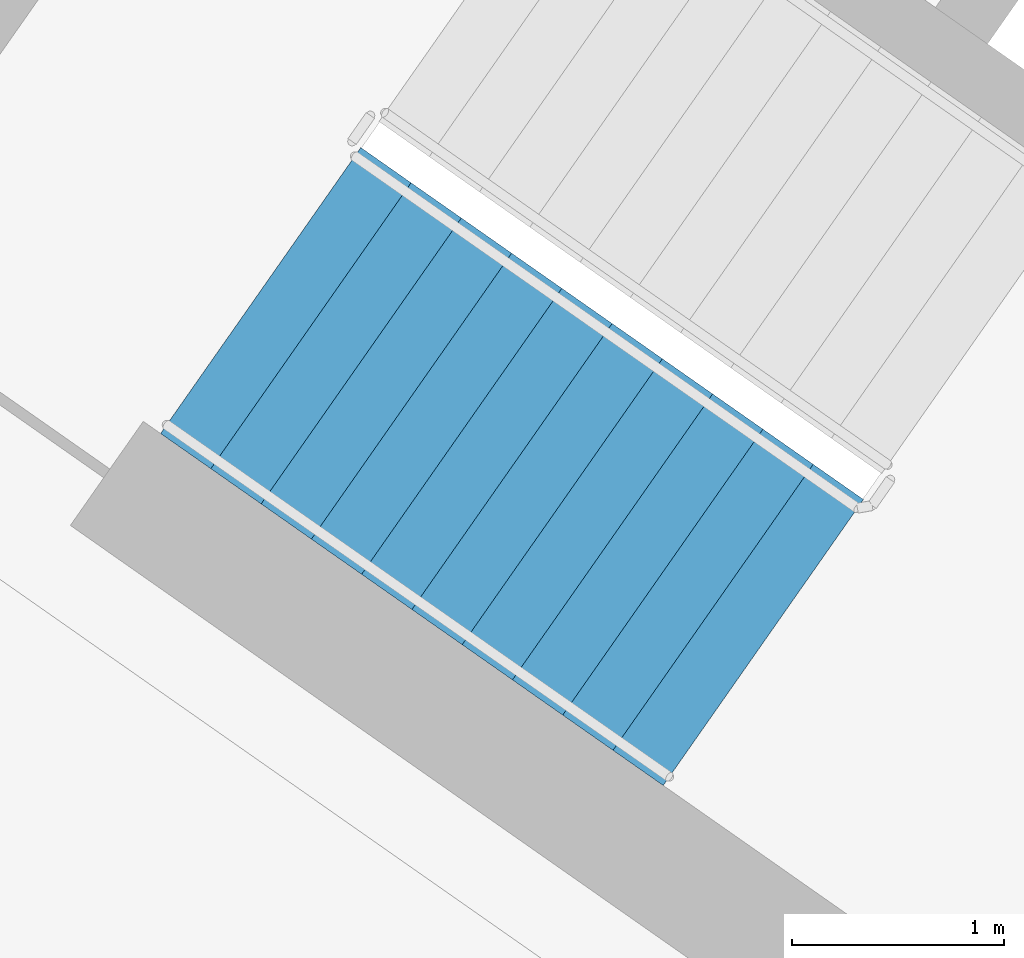
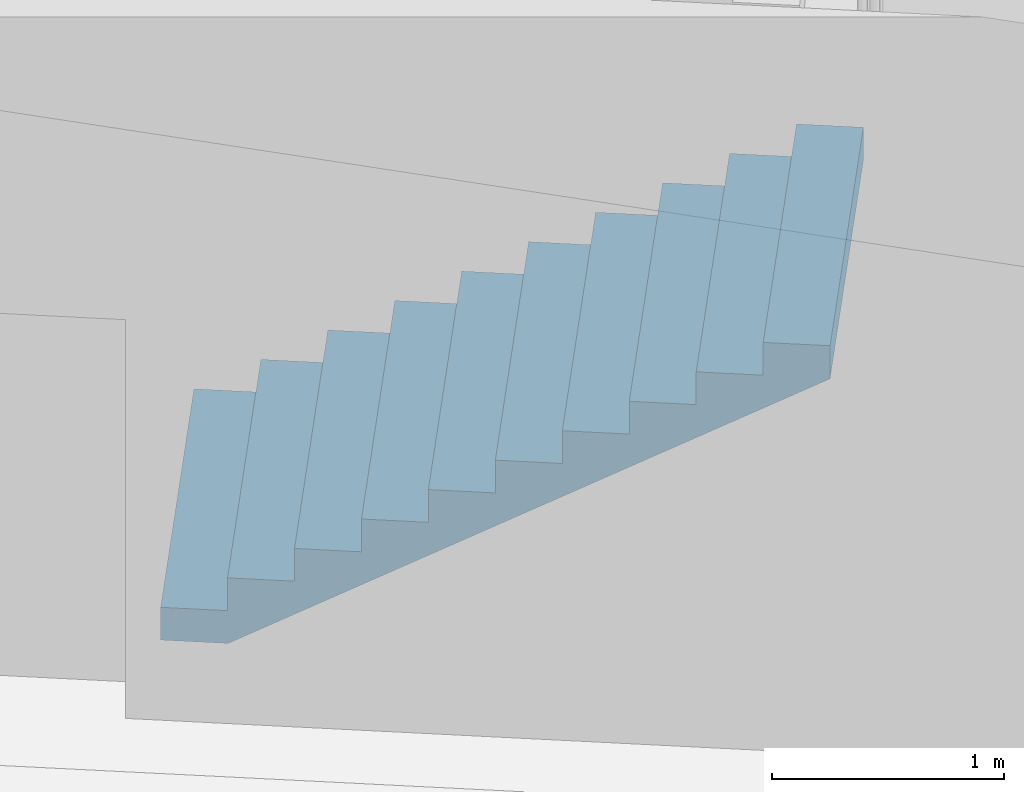
# One storey, part 8 of 27: 1 stair flight, 1 element without a shape of its own.
"""IFC4 building model written with IfcOpenShell, lengths in metres."""

from ifc_helpers import new_model, si_unit, direction, frame, origin, place, context, subcontext, project, spatial, faceted_brep, material, type_object, element, aggregate, save


model = new_model("IFC4")

# Units and contexts
model_context = context("Model", 3, precision=1e-05, world=origin(), true_north=direction((0.0, 1.0)))
body_context = subcontext(model_context, "Body", "Model", "MODEL_VIEW")
ifc_project = project(units=[si_unit("LENGTHUNIT", "METRE"), si_unit("AREAUNIT", "SQUARE_METRE"), si_unit("VOLUMEUNIT", "CUBIC_METRE"), si_unit("PLANEANGLEUNIT", "RADIAN"), si_unit("MASSUNIT", "GRAM", prefix="KILO")], contexts=[model_context])

# Site, building, storey
site_placement = place(None, origin())
site = spatial("IfcSite", under=ifc_project, at=site_placement, CompositionType="ELEMENT")
building_placement = place(site_placement, origin())
building = spatial("IfcBuilding", under=site, at=building_placement, Name="Qamariyya Broadcast Tower", CompositionType="ELEMENT")
storey_placement = place(building_placement, frame((0.0, 0.0, 153.10009765625)))
storey = spatial("IfcBuildingStorey", under=building, at=storey_placement, Name="L35", CompositionType="ELEMENT", Elevation=153.10009765625)

# Stair, stair flight
ifc_material = material(Name="Concrete C50/60", Category="concrete")
stair_type = type_object("IfcStairType", Name="Exit stair 22 risers of 173 mm", PredefinedType="HALF_TURN_STAIR", material=ifc_material)
stair_placement = place(storey_placement, origin())
stair = element("IfcStair", 1, at=stair_placement, inside=storey, type_object=stair_type, Name="L35 Stair W1", PredefinedType="HALF_TURN_STAIR")
stair_flight_type = type_object("IfcStairFlightType", Name="Exit stair flight 11 risers of 173 mm", PredefinedType="STRAIGHT", material=ifc_material)
stair_flight_placement = place(storey_placement, frame((-47.06884765625, -56.982666015625, 0.0), z_axis=(0.0, 0.0, 1.0), x_axis=(0.819152044289, -0.573576436351, 0.0)))
stair_flight = element("IfcStairFlight", 2, at=stair_flight_placement, type_object=stair_flight_type, Name="ST-W1 flight 1", NumberOfRisers=11, NumberOfTreads=10, PredefinedType="STRAIGHT", RiserHeight=0.172727273, TreadLength=0.29, context=body_context, shape_type="Brep", body=[
    faceted_brep([(0.0, 0.824951171875, 0.0), (0.0, 0.824951171875, 0.172607421875), (0.2900390625, 0.824951171875, 0.172607421875), (0.2900390625, 0.824951171875, 0.345458984375), (0.580078125, 0.824951171875, 0.345458984375), (0.580078125, 0.824951171875, 0.51806640625), (0.8701171875, 0.824951171875, 0.51806640625), (0.8701171875, 0.824951171875, 0.69091796875), (1.159912109375, 0.824951171875, 0.69091796875), (1.159912109375, 0.824951171875, 0.863525390625), (1.449951171875, 0.824951171875, 0.863525390625), (1.449951171875, 0.824951171875, 1.036376953125), (1.739990234375, 0.824951171875, 1.036376953125), (1.739990234375, 0.824951171875, 1.208984375), (2.030029296875, 0.824951171875, 1.208984375), (2.030029296875, 0.824951171875, 1.3818359375), (2.320068359375, 0.824951171875, 1.3818359375), (2.320068359375, 0.824951171875, 1.554443359375), (2.610107421875, 0.824951171875, 1.554443359375), (2.610107421875, 0.824951171875, 1.727294921875), (2.89990234375, 0.824951171875, 1.727294921875), (2.89990234375, 0.824951171875, 1.552734375), (0.29296875, 0.824951171875, 0.0), (0.29296875, -0.824951171875, 0.0), (2.89990234375, -0.824951171875, 1.552734375), (2.89990234375, -0.824951171875, 1.727294921875), (2.610107421875, -0.824951171875, 1.727294921875), (2.610107421875, -0.824951171875, 1.554443359375), (2.320068359375, -0.824951171875, 1.554443359375), (2.320068359375, -0.824951171875, 1.3818359375), (2.030029296875, -0.824951171875, 1.3818359375), (2.030029296875, -0.824951171875, 1.208984375), (1.739990234375, -0.824951171875, 1.208984375), (1.739990234375, -0.824951171875, 1.036376953125), (1.449951171875, -0.824951171875, 1.036376953125), (1.449951171875, -0.824951171875, 0.863525390625), (1.159912109375, -0.824951171875, 0.863525390625), (1.159912109375, -0.824951171875, 0.69091796875), (0.8701171875, -0.824951171875, 0.69091796875), (0.8701171875, -0.824951171875, 0.51806640625), (0.580078125, -0.824951171875, 0.51806640625), (0.580078125, -0.824951171875, 0.345458984375), (0.2900390625, -0.824951171875, 0.345458984375), (0.2900390625, -0.824951171875, 0.172607421875), (0.0, -0.824951171875, 0.172607421875), (0.0, -0.824951171875, 0.0), (0.0, 0.10009765625, 0.0), (0.0, 0.086669921875, 0.0), (0.0, 0.0732421875, 0.0), (0.0, 0.06005859375, 0.0), (0.0, 0.046630859375, 0.0), (0.0, 0.033447265625, 0.0), (0.0, 0.02001953125, 0.0), (0.0, 0.006591796875, 0.0), (0.0, -0.006591796875, 0.0), (0.0, -0.02001953125, 0.0), (0.0, -0.033447265625, 0.0), (0.0, -0.046630859375, 0.0), (0.0, -0.06005859375, 0.0), (0.0, -0.0732421875, 0.0), (0.0, -0.086669921875, 0.0), (0.0, -0.10009765625, 0.0), (0.0, -0.10009765625, 0.172607421875), (0.0, -0.086669921875, 0.172607421875), (0.0, -0.0732421875, 0.172607421875), (0.0, -0.06005859375, 0.172607421875), (0.0, -0.046630859375, 0.172607421875), (0.0, -0.033447265625, 0.172607421875), (0.0, -0.02001953125, 0.172607421875), (0.0, -0.006591796875, 0.172607421875), (0.0, 0.006591796875, 0.172607421875), (0.0, 0.02001953125, 0.172607421875), (0.0, 0.033447265625, 0.172607421875), (0.0, 0.046630859375, 0.172607421875), (0.0, 0.06005859375, 0.172607421875), (0.0, 0.0732421875, 0.172607421875), (0.0, 0.086669921875, 0.172607421875), (0.0, 0.10009765625, 0.172607421875), (0.2900390625, -0.10009765625, 0.172607421875), (0.2900390625, -0.086669921875, 0.172607421875), (0.2900390625, -0.0732421875, 0.172607421875), (0.2900390625, -0.06005859375, 0.172607421875), (0.2900390625, -0.046630859375, 0.172607421875), (0.2900390625, -0.033447265625, 0.172607421875), (0.2900390625, -0.02001953125, 0.172607421875), (0.2900390625, -0.006591796875, 0.172607421875), (0.2900390625, 0.006591796875, 0.172607421875), (0.2900390625, 0.02001953125, 0.172607421875), (0.2900390625, 0.033447265625, 0.172607421875), (0.2900390625, 0.046630859375, 0.172607421875), (0.2900390625, 0.06005859375, 0.172607421875), (0.2900390625, 0.0732421875, 0.172607421875), (0.2900390625, 0.086669921875, 0.172607421875), (0.2900390625, 0.10009765625, 0.172607421875), (0.2900390625, -0.10009765625, 0.345458984375), (0.2900390625, -0.086669921875, 0.345458984375), (0.2900390625, -0.0732421875, 0.345458984375), (0.2900390625, -0.06005859375, 0.345458984375), (0.2900390625, -0.046630859375, 0.345458984375), (0.2900390625, -0.033447265625, 0.345458984375), (0.2900390625, -0.02001953125, 0.345458984375), (0.2900390625, -0.006591796875, 0.345458984375), (0.2900390625, 0.006591796875, 0.345458984375), (0.2900390625, 0.02001953125, 0.345458984375), (0.2900390625, 0.033447265625, 0.345458984375), (0.2900390625, 0.046630859375, 0.345458984375), (0.2900390625, 0.06005859375, 0.345458984375), (0.2900390625, 0.0732421875, 0.345458984375), (0.2900390625, 0.086669921875, 0.345458984375), (0.2900390625, 0.10009765625, 0.345458984375), (0.580078125, -0.10009765625, 0.345458984375), (0.580078125, -0.086669921875, 0.345458984375), (0.580078125, -0.0732421875, 0.345458984375), (0.580078125, -0.06005859375, 0.345458984375), (0.580078125, -0.046630859375, 0.345458984375), (0.580078125, -0.033447265625, 0.345458984375), (0.580078125, -0.02001953125, 0.345458984375), (0.580078125, -0.006591796875, 0.345458984375), (0.580078125, 0.006591796875, 0.345458984375), (0.580078125, 0.02001953125, 0.345458984375), (0.580078125, 0.033447265625, 0.345458984375), (0.580078125, 0.046630859375, 0.345458984375), (0.580078125, 0.06005859375, 0.345458984375), (0.580078125, 0.0732421875, 0.345458984375), (0.580078125, 0.086669921875, 0.345458984375), (0.580078125, 0.10009765625, 0.345458984375), (0.580078125, -0.10009765625, 0.51806640625), (0.580078125, -0.086669921875, 0.51806640625), (0.580078125, -0.0732421875, 0.51806640625), (0.580078125, -0.06005859375, 0.51806640625), (0.580078125, -0.046630859375, 0.51806640625), (0.580078125, -0.033447265625, 0.51806640625), (0.580078125, -0.02001953125, 0.51806640625), (0.580078125, -0.006591796875, 0.51806640625), (0.580078125, 0.006591796875, 0.51806640625), (0.580078125, 0.02001953125, 0.51806640625), (0.580078125, 0.033447265625, 0.51806640625), (0.580078125, 0.046630859375, 0.51806640625), (0.580078125, 0.06005859375, 0.51806640625), (0.580078125, 0.0732421875, 0.51806640625), (0.580078125, 0.086669921875, 0.51806640625), (0.580078125, 0.10009765625, 0.51806640625), (0.8701171875, -0.10009765625, 0.51806640625), (0.8701171875, -0.086669921875, 0.51806640625), (0.8701171875, -0.0732421875, 0.51806640625), (0.8701171875, -0.06005859375, 0.51806640625), (0.8701171875, -0.046630859375, 0.51806640625), (0.8701171875, -0.033447265625, 0.51806640625), (0.8701171875, -0.02001953125, 0.51806640625), (0.8701171875, -0.006591796875, 0.51806640625), (0.8701171875, 0.006591796875, 0.51806640625), (0.8701171875, 0.02001953125, 0.51806640625), (0.8701171875, 0.033447265625, 0.51806640625), (0.8701171875, 0.046630859375, 0.51806640625), (0.8701171875, 0.06005859375, 0.51806640625), (0.8701171875, 0.0732421875, 0.51806640625), (0.8701171875, 0.086669921875, 0.51806640625), (0.8701171875, 0.10009765625, 0.51806640625), (0.8701171875, -0.10009765625, 0.69091796875), (0.8701171875, -0.086669921875, 0.69091796875), (0.8701171875, -0.0732421875, 0.69091796875), (0.8701171875, -0.06005859375, 0.69091796875), (0.8701171875, -0.046630859375, 0.69091796875), (0.8701171875, -0.033447265625, 0.69091796875), (0.8701171875, -0.02001953125, 0.69091796875), (0.8701171875, -0.006591796875, 0.69091796875), (0.8701171875, 0.006591796875, 0.69091796875), (0.8701171875, 0.02001953125, 0.69091796875), (0.8701171875, 0.033447265625, 0.69091796875), (0.8701171875, 0.046630859375, 0.69091796875), (0.8701171875, 0.06005859375, 0.69091796875), (0.8701171875, 0.0732421875, 0.69091796875), (0.8701171875, 0.086669921875, 0.69091796875), (0.8701171875, 0.10009765625, 0.69091796875), (1.159912109375, -0.10009765625, 0.69091796875), (1.159912109375, -0.086669921875, 0.69091796875), (1.159912109375, -0.0732421875, 0.69091796875), (1.159912109375, -0.06005859375, 0.69091796875), (1.159912109375, -0.046630859375, 0.69091796875), (1.159912109375, -0.033447265625, 0.69091796875), (1.159912109375, -0.02001953125, 0.69091796875), (1.159912109375, -0.006591796875, 0.69091796875), (1.159912109375, 0.006591796875, 0.69091796875), (1.159912109375, 0.02001953125, 0.69091796875), (1.159912109375, 0.033447265625, 0.69091796875), (1.159912109375, 0.046630859375, 0.69091796875), (1.159912109375, 0.06005859375, 0.69091796875), (1.159912109375, 0.0732421875, 0.69091796875), (1.159912109375, 0.086669921875, 0.69091796875), (1.159912109375, 0.10009765625, 0.69091796875), (1.159912109375, -0.10009765625, 0.863525390625), (1.159912109375, -0.086669921875, 0.863525390625), (1.159912109375, -0.0732421875, 0.863525390625), (1.159912109375, -0.06005859375, 0.863525390625), (1.159912109375, -0.046630859375, 0.863525390625), (1.159912109375, -0.033447265625, 0.863525390625), (1.159912109375, -0.02001953125, 0.863525390625), (1.159912109375, -0.006591796875, 0.863525390625), (1.159912109375, 0.006591796875, 0.863525390625), (1.159912109375, 0.02001953125, 0.863525390625), (1.159912109375, 0.033447265625, 0.863525390625), (1.159912109375, 0.046630859375, 0.863525390625), (1.159912109375, 0.06005859375, 0.863525390625), (1.159912109375, 0.0732421875, 0.863525390625), (1.159912109375, 0.086669921875, 0.863525390625), (1.159912109375, 0.10009765625, 0.863525390625), (1.449951171875, -0.10009765625, 0.863525390625), (1.449951171875, -0.086669921875, 0.863525390625), (1.449951171875, -0.0732421875, 0.863525390625), (1.449951171875, -0.06005859375, 0.863525390625), (1.449951171875, -0.046630859375, 0.863525390625), (1.449951171875, -0.033447265625, 0.863525390625), (1.449951171875, -0.02001953125, 0.863525390625), (1.449951171875, -0.006591796875, 0.863525390625), (1.449951171875, 0.006591796875, 0.863525390625), (1.449951171875, 0.02001953125, 0.863525390625), (1.449951171875, 0.033447265625, 0.863525390625), (1.449951171875, 0.046630859375, 0.863525390625), (1.449951171875, 0.06005859375, 0.863525390625), (1.449951171875, 0.0732421875, 0.863525390625), (1.449951171875, 0.086669921875, 0.863525390625), (1.449951171875, 0.10009765625, 0.863525390625), (1.449951171875, -0.10009765625, 1.036376953125), (1.449951171875, -0.086669921875, 1.036376953125), (1.449951171875, -0.0732421875, 1.036376953125), (1.449951171875, -0.06005859375, 1.036376953125), (1.449951171875, -0.046630859375, 1.036376953125), (1.449951171875, -0.033447265625, 1.036376953125), (1.449951171875, -0.02001953125, 1.036376953125), (1.449951171875, -0.006591796875, 1.036376953125), (1.449951171875, 0.006591796875, 1.036376953125), (1.449951171875, 0.02001953125, 1.036376953125), (1.449951171875, 0.033447265625, 1.036376953125), (1.449951171875, 0.046630859375, 1.036376953125), (1.449951171875, 0.06005859375, 1.036376953125), (1.449951171875, 0.0732421875, 1.036376953125), (1.449951171875, 0.086669921875, 1.036376953125), (1.449951171875, 0.10009765625, 1.036376953125), (1.739990234375, -0.10009765625, 1.036376953125), (1.739990234375, -0.086669921875, 1.036376953125), (1.739990234375, -0.0732421875, 1.036376953125), (1.739990234375, -0.06005859375, 1.036376953125), (1.739990234375, -0.046630859375, 1.036376953125), (1.739990234375, -0.033447265625, 1.036376953125), (1.739990234375, -0.02001953125, 1.036376953125), (1.739990234375, -0.006591796875, 1.036376953125), (1.739990234375, 0.006591796875, 1.036376953125), (1.739990234375, 0.02001953125, 1.036376953125), (1.739990234375, 0.033447265625, 1.036376953125), (1.739990234375, 0.046630859375, 1.036376953125), (1.739990234375, 0.06005859375, 1.036376953125), (1.739990234375, 0.0732421875, 1.036376953125), (1.739990234375, 0.086669921875, 1.036376953125), (1.739990234375, 0.10009765625, 1.036376953125), (1.739990234375, -0.10009765625, 1.208984375), (1.739990234375, -0.086669921875, 1.208984375), (1.739990234375, -0.0732421875, 1.208984375), (1.739990234375, -0.06005859375, 1.208984375), (1.739990234375, -0.046630859375, 1.208984375), (1.739990234375, -0.033447265625, 1.208984375), (1.739990234375, -0.02001953125, 1.208984375), (1.739990234375, -0.006591796875, 1.208984375), (1.739990234375, 0.006591796875, 1.208984375), (1.739990234375, 0.02001953125, 1.208984375), (1.739990234375, 0.033447265625, 1.208984375), (1.739990234375, 0.046630859375, 1.208984375), (1.739990234375, 0.06005859375, 1.208984375), (1.739990234375, 0.0732421875, 1.208984375), (1.739990234375, 0.086669921875, 1.208984375), (1.739990234375, 0.10009765625, 1.208984375), (2.030029296875, -0.10009765625, 1.208984375), (2.030029296875, -0.086669921875, 1.208984375), (2.030029296875, -0.0732421875, 1.208984375), (2.030029296875, -0.06005859375, 1.208984375), (2.030029296875, -0.046630859375, 1.208984375), (2.030029296875, -0.033447265625, 1.208984375), (2.030029296875, -0.02001953125, 1.208984375), (2.030029296875, -0.006591796875, 1.208984375), (2.030029296875, 0.006591796875, 1.208984375), (2.030029296875, 0.02001953125, 1.208984375), (2.030029296875, 0.033447265625, 1.208984375), (2.030029296875, 0.046630859375, 1.208984375), (2.030029296875, 0.06005859375, 1.208984375), (2.030029296875, 0.0732421875, 1.208984375), (2.030029296875, 0.086669921875, 1.208984375), (2.030029296875, 0.10009765625, 1.208984375), (2.030029296875, -0.10009765625, 1.3818359375), (2.030029296875, -0.086669921875, 1.3818359375), (2.030029296875, -0.0732421875, 1.3818359375), (2.030029296875, -0.06005859375, 1.3818359375), (2.030029296875, -0.046630859375, 1.3818359375), (2.030029296875, -0.033447265625, 1.3818359375), (2.030029296875, -0.02001953125, 1.3818359375), (2.030029296875, -0.006591796875, 1.3818359375), (2.030029296875, 0.006591796875, 1.3818359375), (2.030029296875, 0.02001953125, 1.3818359375), (2.030029296875, 0.033447265625, 1.3818359375), (2.030029296875, 0.046630859375, 1.3818359375), (2.030029296875, 0.06005859375, 1.3818359375), (2.030029296875, 0.0732421875, 1.3818359375), (2.030029296875, 0.086669921875, 1.3818359375), (2.030029296875, 0.10009765625, 1.3818359375), (2.320068359375, -0.10009765625, 1.3818359375), (2.320068359375, -0.086669921875, 1.3818359375), (2.320068359375, -0.0732421875, 1.3818359375), (2.320068359375, -0.06005859375, 1.3818359375), (2.320068359375, -0.046630859375, 1.3818359375), (2.320068359375, -0.033447265625, 1.3818359375), (2.320068359375, -0.02001953125, 1.3818359375), (2.320068359375, -0.006591796875, 1.3818359375), (2.320068359375, 0.006591796875, 1.3818359375), (2.320068359375, 0.02001953125, 1.3818359375), (2.320068359375, 0.033447265625, 1.3818359375), (2.320068359375, 0.046630859375, 1.3818359375), (2.320068359375, 0.06005859375, 1.3818359375), (2.320068359375, 0.0732421875, 1.3818359375), (2.320068359375, 0.086669921875, 1.3818359375), (2.320068359375, 0.10009765625, 1.3818359375), (2.320068359375, -0.10009765625, 1.554443359375), (2.320068359375, -0.086669921875, 1.554443359375), (2.320068359375, -0.0732421875, 1.554443359375), (2.320068359375, -0.06005859375, 1.554443359375), (2.320068359375, -0.046630859375, 1.554443359375), (2.320068359375, -0.033447265625, 1.554443359375), (2.320068359375, -0.02001953125, 1.554443359375), (2.320068359375, -0.006591796875, 1.554443359375), (2.320068359375, 0.006591796875, 1.554443359375), (2.320068359375, 0.02001953125, 1.554443359375), (2.320068359375, 0.033447265625, 1.554443359375), (2.320068359375, 0.046630859375, 1.554443359375), (2.320068359375, 0.06005859375, 1.554443359375), (2.320068359375, 0.0732421875, 1.554443359375), (2.320068359375, 0.086669921875, 1.554443359375), (2.320068359375, 0.10009765625, 1.554443359375), (2.610107421875, -0.10009765625, 1.554443359375), (2.610107421875, -0.086669921875, 1.554443359375), (2.610107421875, -0.0732421875, 1.554443359375), (2.610107421875, -0.06005859375, 1.554443359375), (2.610107421875, -0.046630859375, 1.554443359375), (2.610107421875, -0.033447265625, 1.554443359375), (2.610107421875, -0.02001953125, 1.554443359375), (2.610107421875, -0.006591796875, 1.554443359375), (2.610107421875, 0.006591796875, 1.554443359375), (2.610107421875, 0.02001953125, 1.554443359375), (2.610107421875, 0.033447265625, 1.554443359375), (2.610107421875, 0.046630859375, 1.554443359375), (2.610107421875, 0.06005859375, 1.554443359375), (2.610107421875, 0.0732421875, 1.554443359375), (2.610107421875, 0.086669921875, 1.554443359375), (2.610107421875, 0.10009765625, 1.554443359375), (2.610107421875, -0.10009765625, 1.727294921875), (2.610107421875, -0.086669921875, 1.727294921875), (2.610107421875, -0.0732421875, 1.727294921875), (2.610107421875, -0.06005859375, 1.727294921875), (2.610107421875, -0.046630859375, 1.727294921875), (2.610107421875, -0.033447265625, 1.727294921875), (2.610107421875, -0.02001953125, 1.727294921875), (2.610107421875, -0.006591796875, 1.727294921875), (2.610107421875, 0.006591796875, 1.727294921875), (2.610107421875, 0.02001953125, 1.727294921875), (2.610107421875, 0.033447265625, 1.727294921875), (2.610107421875, 0.046630859375, 1.727294921875), (2.610107421875, 0.06005859375, 1.727294921875), (2.610107421875, 0.0732421875, 1.727294921875), (2.610107421875, 0.086669921875, 1.727294921875), (2.610107421875, 0.10009765625, 1.727294921875), (2.89990234375, -0.10009765625, 1.727294921875), (2.89990234375, -0.086669921875, 1.727294921875), (2.89990234375, -0.0732421875, 1.727294921875), (2.89990234375, -0.06005859375, 1.727294921875), (2.89990234375, -0.046630859375, 1.727294921875), (2.89990234375, -0.033447265625, 1.727294921875), (2.89990234375, -0.02001953125, 1.727294921875), (2.89990234375, -0.006591796875, 1.727294921875), (2.89990234375, 0.006591796875, 1.727294921875), (2.89990234375, 0.02001953125, 1.727294921875), (2.89990234375, 0.033447265625, 1.727294921875), (2.89990234375, 0.046630859375, 1.727294921875), (2.89990234375, 0.06005859375, 1.727294921875), (2.89990234375, 0.0732421875, 1.727294921875), (2.89990234375, 0.086669921875, 1.727294921875), (2.89990234375, 0.10009765625, 1.727294921875), (2.89990234375, -0.10009765625, 1.552734375), (2.89990234375, -0.086669921875, 1.552734375), (2.89990234375, -0.0732421875, 1.552734375), (2.89990234375, -0.06005859375, 1.552734375), (2.89990234375, -0.046630859375, 1.552734375), (2.89990234375, -0.033447265625, 1.552734375), (2.89990234375, -0.02001953125, 1.552734375), (2.89990234375, -0.006591796875, 1.552734375), (2.89990234375, 0.006591796875, 1.552734375), (2.89990234375, 0.02001953125, 1.552734375), (2.89990234375, 0.033447265625, 1.552734375), (2.89990234375, 0.046630859375, 1.552734375), (2.89990234375, 0.06005859375, 1.552734375), (2.89990234375, 0.0732421875, 1.552734375), (2.89990234375, 0.086669921875, 1.552734375), (2.89990234375, 0.10009765625, 1.552734375), (0.29296875, -0.10009765625, 0.0), (0.29296875, -0.086669921875, 0.0), (0.29296875, -0.0732421875, 0.0), (0.29296875, -0.06005859375, 0.0), (0.29296875, -0.046630859375, 0.0), (0.29296875, -0.033447265625, 0.0), (0.29296875, -0.02001953125, 0.0), (0.29296875, -0.006591796875, 0.0), (0.29296875, 0.006591796875, 0.0), (0.29296875, 0.02001953125, 0.0), (0.29296875, 0.033447265625, 0.0), (0.29296875, 0.046630859375, 0.0), (0.29296875, 0.06005859375, 0.0), (0.29296875, 0.0732421875, 0.0), (0.29296875, 0.086669921875, 0.0), (0.29296875, 0.10009765625, 0.0)], [[[0, 1, 2, 3, 4, 5, 6, 7, 8, 9, 10, 11, 12, 13, 14, 15, 16, 17, 18, 19, 20, 21, 22]], [[23, 24, 25, 26, 27, 28, 29, 30, 31, 32, 33, 34, 35, 36, 37, 38, 39, 40, 41, 42, 43, 44, 45]], [[0, 46, 47, 48, 49, 50, 51, 52, 53, 54, 55, 56, 57, 58, 59, 60, 61, 45, 44, 62, 63, 64, 65, 66, 67, 68, 69, 70, 71, 72, 73, 74, 75, 76, 77, 1]], [[1, 77, 76, 75, 74, 73, 72, 71, 70, 69, 68, 67, 66, 65, 64, 63, 62, 44, 43, 78, 79, 80, 81, 82, 83, 84, 85, 86, 87, 88, 89, 90, 91, 92, 93, 2]], [[2, 93, 92, 91, 90, 89, 88, 87, 86, 85, 84, 83, 82, 81, 80, 79, 78, 43, 42, 94, 95, 96, 97, 98, 99, 100, 101, 102, 103, 104, 105, 106, 107, 108, 109, 3]], [[3, 109, 108, 107, 106, 105, 104, 103, 102, 101, 100, 99, 98, 97, 96, 95, 94, 42, 41, 110, 111, 112, 113, 114, 115, 116, 117, 118, 119, 120, 121, 122, 123, 124, 125, 4]], [[4, 125, 124, 123, 122, 121, 120, 119, 118, 117, 116, 115, 114, 113, 112, 111, 110, 41, 40, 126, 127, 128, 129, 130, 131, 132, 133, 134, 135, 136, 137, 138, 139, 140, 141, 5]], [[5, 141, 140, 139, 138, 137, 136, 135, 134, 133, 132, 131, 130, 129, 128, 127, 126, 40, 39, 142, 143, 144, 145, 146, 147, 148, 149, 150, 151, 152, 153, 154, 155, 156, 157, 6]], [[6, 157, 156, 155, 154, 153, 152, 151, 150, 149, 148, 147, 146, 145, 144, 143, 142, 39, 38, 158, 159, 160, 161, 162, 163, 164, 165, 166, 167, 168, 169, 170, 171, 172, 173, 7]], [[7, 173, 172, 171, 170, 169, 168, 167, 166, 165, 164, 163, 162, 161, 160, 159, 158, 38, 37, 174, 175, 176, 177, 178, 179, 180, 181, 182, 183, 184, 185, 186, 187, 188, 189, 8]], [[8, 189, 188, 187, 186, 185, 184, 183, 182, 181, 180, 179, 178, 177, 176, 175, 174, 37, 36, 190, 191, 192, 193, 194, 195, 196, 197, 198, 199, 200, 201, 202, 203, 204, 205, 9]], [[9, 205, 204, 203, 202, 201, 200, 199, 198, 197, 196, 195, 194, 193, 192, 191, 190, 36, 35, 206, 207, 208, 209, 210, 211, 212, 213, 214, 215, 216, 217, 218, 219, 220, 221, 10]], [[10, 221, 220, 219, 218, 217, 216, 215, 214, 213, 212, 211, 210, 209, 208, 207, 206, 35, 34, 222, 223, 224, 225, 226, 227, 228, 229, 230, 231, 232, 233, 234, 235, 236, 237, 11]], [[11, 237, 236, 235, 234, 233, 232, 231, 230, 229, 228, 227, 226, 225, 224, 223, 222, 34, 33, 238, 239, 240, 241, 242, 243, 244, 245, 246, 247, 248, 249, 250, 251, 252, 253, 12]], [[12, 253, 252, 251, 250, 249, 248, 247, 246, 245, 244, 243, 242, 241, 240, 239, 238, 33, 32, 254, 255, 256, 257, 258, 259, 260, 261, 262, 263, 264, 265, 266, 267, 268, 269, 13]], [[13, 269, 268, 267, 266, 265, 264, 263, 262, 261, 260, 259, 258, 257, 256, 255, 254, 32, 31, 270, 271, 272, 273, 274, 275, 276, 277, 278, 279, 280, 281, 282, 283, 284, 285, 14]], [[14, 285, 284, 283, 282, 281, 280, 279, 278, 277, 276, 275, 274, 273, 272, 271, 270, 31, 30, 286, 287, 288, 289, 290, 291, 292, 293, 294, 295, 296, 297, 298, 299, 300, 301, 15]], [[15, 301, 300, 299, 298, 297, 296, 295, 294, 293, 292, 291, 290, 289, 288, 287, 286, 30, 29, 302, 303, 304, 305, 306, 307, 308, 309, 310, 311, 312, 313, 314, 315, 316, 317, 16]], [[16, 317, 316, 315, 314, 313, 312, 311, 310, 309, 308, 307, 306, 305, 304, 303, 302, 29, 28, 318, 319, 320, 321, 322, 323, 324, 325, 326, 327, 328, 329, 330, 331, 332, 333, 17]], [[17, 333, 332, 331, 330, 329, 328, 327, 326, 325, 324, 323, 322, 321, 320, 319, 318, 28, 27, 334, 335, 336, 337, 338, 339, 340, 341, 342, 343, 344, 345, 346, 347, 348, 349, 18]], [[18, 349, 348, 347, 346, 345, 344, 343, 342, 341, 340, 339, 338, 337, 336, 335, 334, 27, 26, 350, 351, 352, 353, 354, 355, 356, 357, 358, 359, 360, 361, 362, 363, 364, 365, 19]], [[19, 365, 364, 363, 362, 361, 360, 359, 358, 357, 356, 355, 354, 353, 352, 351, 350, 26, 25, 366, 367, 368, 369, 370, 371, 372, 373, 374, 375, 376, 377, 378, 379, 380, 381, 20]], [[20, 381, 380, 379, 378, 377, 376, 375, 374, 373, 372, 371, 370, 369, 368, 367, 366, 25, 24, 382, 383, 384, 385, 386, 387, 388, 389, 390, 391, 392, 393, 394, 395, 396, 397, 21]], [[21, 397, 396, 395, 394, 393, 392, 391, 390, 389, 388, 387, 386, 385, 384, 383, 382, 24, 23, 398, 399, 400, 401, 402, 403, 404, 405, 406, 407, 408, 409, 410, 411, 412, 413, 22]], [[22, 413, 412, 411, 410, 409, 408, 407, 406, 405, 404, 403, 402, 401, 400, 399, 398, 23, 45, 61, 60, 59, 58, 57, 56, 55, 54, 53, 52, 51, 50, 49, 48, 47, 46, 0]]]),
])
aggregate(stair, [stair_flight])

save(model, "model.ifc")
